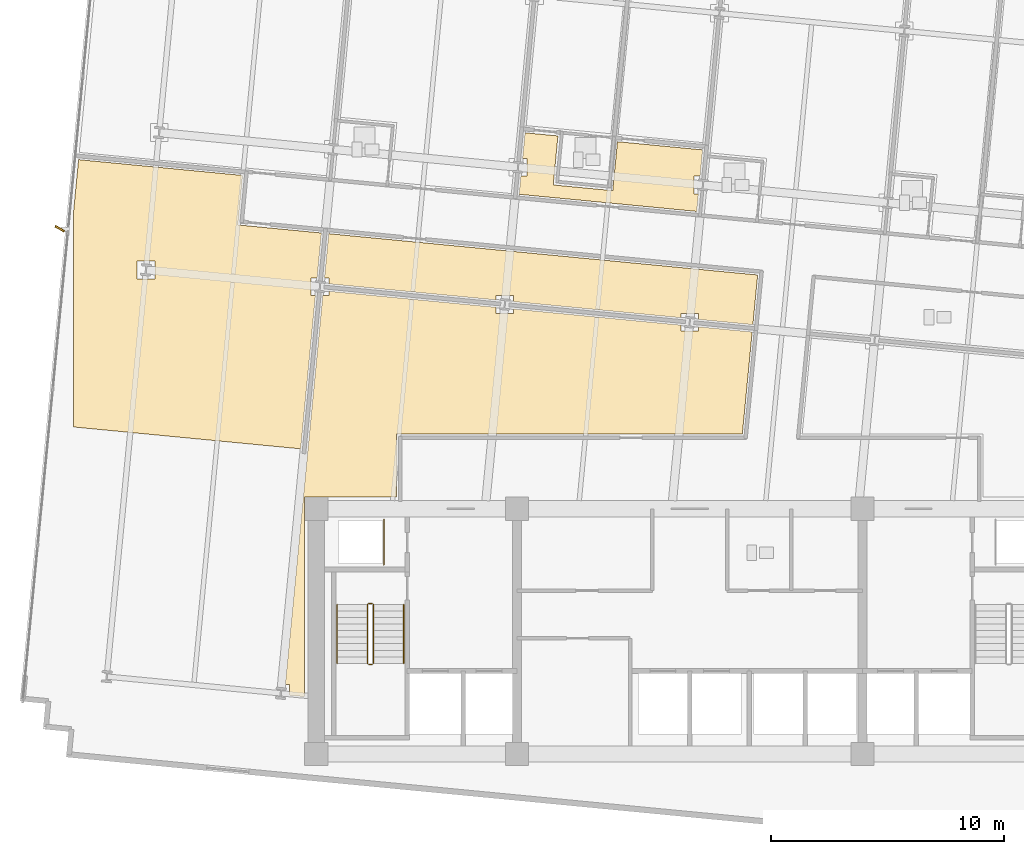
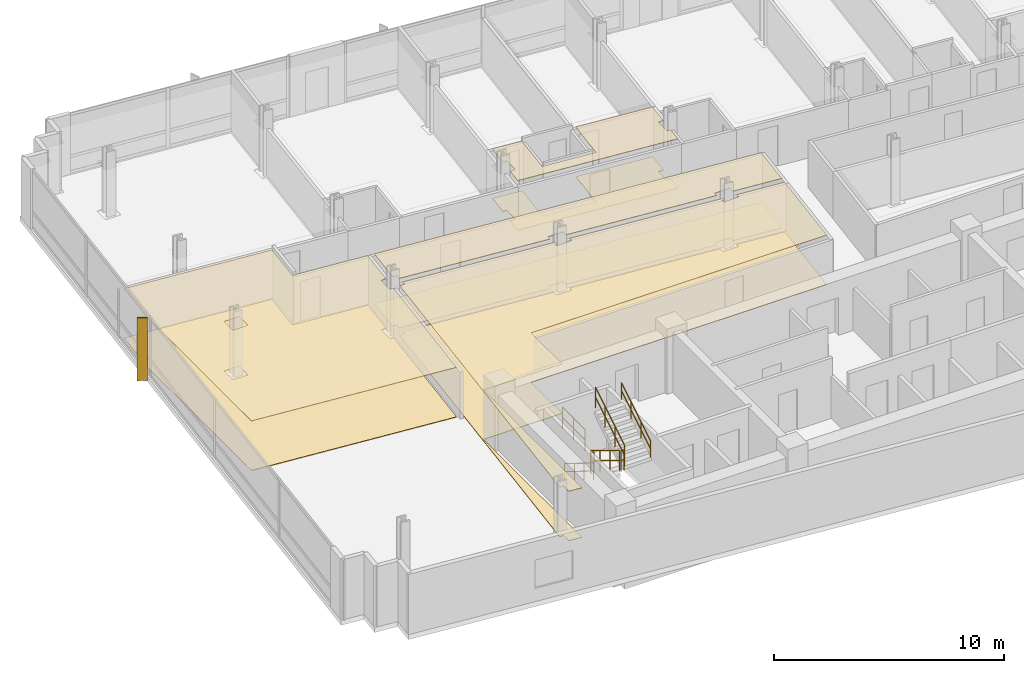
# One storey, part 14 of 17: 8 coverings, 7 railings, 1 shading device.
"""IFC4 building model written with IfcOpenShell, lengths in metres."""

from ifc_helpers import new_model, si_unit, direction, frame, origin, origin_2d, place, context, subcontext, project, spatial, polyline, rectangle, circle, outline, extrude, material, layer, layer_set, type_object, element, save


model = new_model("IFC4")

# Units and contexts
model_context = context("Model", 3, precision=1e-05, world=origin(), true_north=direction((0.0, 1.0)))
body_context = subcontext(model_context, "Body", "Model", "MODEL_VIEW")
ifc_project = project(units=[si_unit("LENGTHUNIT", "METRE"), si_unit("AREAUNIT", "SQUARE_METRE"), si_unit("VOLUMEUNIT", "CUBIC_METRE"), si_unit("PLANEANGLEUNIT", "RADIAN"), si_unit("MASSUNIT", "GRAM", prefix="KILO")], contexts=[model_context])

# Site, building, storey
site_placement = place(None, origin())
site = spatial("IfcSite", under=ifc_project, at=site_placement, CompositionType="ELEMENT")
building_placement = place(site_placement, origin())
building = spatial("IfcBuilding", under=site, at=building_placement, Name="Solmavex Isthmus Hotel", CompositionType="ELEMENT")
storey_placement = place(building_placement, frame((0.0, 0.0, 142.800048828125)))
storey = spatial("IfcBuildingStorey", under=building, at=storey_placement, Name="L38", CompositionType="ELEMENT", Elevation=142.800048828125)

# Coverings
ifc_material_1 = material(Name="Gypsum plasterboard lining", Category="gypsum")
ifc_layer_1 = layer(ifc_material_1, 0.030029296875)
ifc_layer_set_1 = layer_set([ifc_layer_1], Name="Gypsum plasterboard lining")
covering_type_1 = type_object("IfcCoveringType", Name="COV-CEIL-GYP", PredefinedType="CEILING", material=ifc_layer_set_1)
covering_1_placement = place(storey_placement, frame((0.0, 0.0, 2.619873046875)))
element("IfcCovering", 1, at=covering_1_placement, inside=storey, type_object=covering_type_1, Name="Suspended Acoustic Ceiling L38-ST03-FY", PredefinedType="CEILING", context=body_context, shape_type="SweptSolid", body=[
    extrude(outline(polyline([(-3.094482421875, 13.2255859375), (-3.296630859375, 11.12744140625), (-5.8447265625, 11.372802734375), (-5.642822265625, 13.470947265625), (-7.05419921875, 13.60693359375), (-7.159423828125, 12.513671875), (-6.971923828125, 12.513671875), (-6.971923828125, 11.753662109375), (-7.232666015625, 11.753662109375), (-7.30810546875, 10.97119140625), (0.302734375, 10.23828125), (0.375244140625, 10.9912109375), (0.1875, 10.9912109375), (0.1875, 11.751220703125), (0.448486328125, 11.751220703125), (0.556640625, 12.8740234375), (-3.094482421875, 13.2255859375)])), origin(), (0.0, 0.0, 1.0), 0.030029296875),
])
covering_2_placement = place(storey_placement, frame((0.0, 0.0, 2.619873046875)))
element("IfcCovering", 2, at=covering_2_placement, inside=storey, type_object=covering_type_1, Name="Suspended Acoustic Ceiling L38-FL09", PredefinedType="CEILING", context=body_context, shape_type="SweptSolid", body=[
    extrude(outline(polyline([(-0.378662109375, 5.6826171875), (-0.378662109375, 5.870361328125), (0.38134765625, 5.870361328125), (0.38134765625, 5.609375), (2.706787109375, 5.385498046875), (2.911865234375, 7.515625), (-15.463134765625, 9.284912109375), (-15.645263671875, 7.3955078125), (-15.45751953125, 7.3955078125), (-15.45751953125, 7.134521484375), (-8.298095703125, 6.445068359375), (-8.298095703125, 6.6328125), (-7.5380859375, 6.6328125), (-7.5380859375, 6.3720703125), (-0.378662109375, 5.6826171875)])), origin(), (0.0, 0.0, 1.0), 0.030029296875),
])
covering_3_placement = place(storey_placement, frame((0.0, 0.0, 2.619873046875)))
element("IfcCovering", 3, at=covering_3_placement, inside=storey, type_object=covering_type_1, Name="Suspended Acoustic Ceiling L38-FL12", PredefinedType="CEILING", context=body_context, shape_type="SweptSolid", body=[
    extrude(outline(polyline([(-16.02978515625, 6.635498046875), (-16.217529296875, 6.635498046875), (-16.217529296875, 7.3955078125), (-15.95654296875, 7.3955078125), (-15.771728515625, 9.314697265625), (-19.355224609375, 9.65966796875), (-19.151123046875, 11.780029296875), (-26.176513671875, 12.45654296875), (-26.39990234375, 10.135986328125), (-26.39990234375, 1.005126953125), (-16.662109375, 0.0673828125), (-16.02978515625, 6.635498046875)]), holes=[polyline([(-23.6708984375, 7.35302734375), (-23.6708984375, 8.113037109375), (-22.910888671875, 8.113037109375), (-22.910888671875, 7.35302734375), (-23.6708984375, 7.35302734375)])]), origin(), (0.0, 0.0, 1.0), 0.030029296875),
])
covering_4_placement = place(storey_placement, frame((0.0, 0.0, 2.619873046875)))
element("IfcCovering", 4, at=covering_4_placement, inside=storey, type_object=covering_type_1, Name="Suspended Acoustic Ceiling L38-FL13", PredefinedType="CEILING", context=body_context, shape_type="SweptSolid", body=[
    extrude(outline(polyline([(-17.322509765625, -10.02392578125), (-17.134765625, -10.02392578125), (-17.134765625, -10.48583984375), (-16.5048828125, -10.54638671875), (-16.5048828125, -1.9951171875), (-12.554931640625, -1.9951171875), (-12.554931640625, 0.705078125), (2.256103515625, 0.705078125), (2.677001953125, 5.076904296875), (0.38134765625, 5.298095703125), (0.38134765625, 5.1103515625), (-0.378662109375, 5.1103515625), (-0.378662109375, 5.37109375), (-7.5380859375, 6.060546875), (-7.5380859375, 5.872802734375), (-8.298095703125, 5.872802734375), (-8.298095703125, 6.1337890625), (-15.45751953125, 6.822998046875), (-15.45751953125, 6.635498046875), (-15.71826171875, 6.635498046875), (-17.322509765625, -10.02392578125)])), origin(), (0.0, 0.0, 1.0), 0.030029296875),
])
ifc_material_2 = material(Name="Travertine natural stone", Category="masonry")
ifc_layer_2 = layer(ifc_material_2, 0.02490234375)
ifc_layer_set_2 = layer_set([ifc_layer_2], Name="Travertine natural stone")
covering_type_2 = type_object("IfcCoveringType", Name="COV-FLOR-STN", PredefinedType="FLOORING", material=ifc_layer_set_2)
covering_5_placement = place(storey_placement, origin())
element("IfcCovering", 5, at=covering_5_placement, inside=storey, type_object=covering_type_2, Name="Stone and Timber Floor Finish L38-ST03-FY", PredefinedType="FLOORING", context=body_context, shape_type="SweptSolid", body=[
    extrude(outline(polyline([(-3.094482421875, 13.2255859375), (-3.296630859375, 11.12744140625), (-5.8447265625, 11.372802734375), (-5.642822265625, 13.470947265625), (-7.05419921875, 13.60693359375), (-7.159423828125, 12.513671875), (-6.971923828125, 12.513671875), (-6.971923828125, 11.753662109375), (-7.232666015625, 11.753662109375), (-7.30810546875, 10.97119140625), (0.302734375, 10.23828125), (0.375244140625, 10.9912109375), (0.1875, 10.9912109375), (0.1875, 11.751220703125), (0.448486328125, 11.751220703125), (0.556640625, 12.8740234375), (-3.094482421875, 13.2255859375)])), origin(), (0.0, 0.0, 1.0), 0.02490234375),
])
covering_6_placement = place(storey_placement, origin())
element("IfcCovering", 6, at=covering_6_placement, inside=storey, type_object=covering_type_2, Name="Stone and Timber Floor Finish L38-FL09", PredefinedType="FLOORING", context=body_context, shape_type="SweptSolid", body=[
    extrude(outline(polyline([(-0.378662109375, 5.6826171875), (-0.378662109375, 5.870361328125), (0.38134765625, 5.870361328125), (0.38134765625, 5.609375), (2.706787109375, 5.385498046875), (2.911865234375, 7.515625), (-15.463134765625, 9.284912109375), (-15.645263671875, 7.3955078125), (-15.45751953125, 7.3955078125), (-15.45751953125, 7.134521484375), (-8.298095703125, 6.445068359375), (-8.298095703125, 6.6328125), (-7.5380859375, 6.6328125), (-7.5380859375, 6.3720703125), (-0.378662109375, 5.6826171875)])), origin(), (0.0, 0.0, 1.0), 0.02490234375),
])
covering_7_placement = place(storey_placement, origin())
element("IfcCovering", 7, at=covering_7_placement, inside=storey, type_object=covering_type_2, Name="Stone and Timber Floor Finish L38-FL12", PredefinedType="FLOORING", context=body_context, shape_type="SweptSolid", body=[
    extrude(outline(polyline([(-16.02978515625, 6.635498046875), (-16.217529296875, 6.635498046875), (-16.217529296875, 7.3955078125), (-15.95654296875, 7.3955078125), (-15.771728515625, 9.314697265625), (-19.355224609375, 9.65966796875), (-19.151123046875, 11.780029296875), (-26.176513671875, 12.45654296875), (-26.39990234375, 10.135986328125), (-26.39990234375, 1.005126953125), (-16.662109375, 0.0673828125), (-16.02978515625, 6.635498046875)]), holes=[polyline([(-23.6708984375, 7.35302734375), (-23.6708984375, 8.113037109375), (-22.910888671875, 8.113037109375), (-22.910888671875, 7.35302734375), (-23.6708984375, 7.35302734375)])]), origin(), (0.0, 0.0, 1.0), 0.02490234375),
])
covering_8_placement = place(storey_placement, origin())
element("IfcCovering", 8, at=covering_8_placement, inside=storey, type_object=covering_type_2, Name="Stone and Timber Floor Finish L38-FL13", PredefinedType="FLOORING", context=body_context, shape_type="SweptSolid", body=[
    extrude(outline(polyline([(-17.322509765625, -10.02392578125), (-17.134765625, -10.02392578125), (-17.134765625, -10.48583984375), (-16.5048828125, -10.54638671875), (-16.5048828125, -1.9951171875), (-12.554931640625, -1.9951171875), (-12.554931640625, 0.705078125), (2.256103515625, 0.705078125), (2.677001953125, 5.076904296875), (0.38134765625, 5.298095703125), (0.38134765625, 5.1103515625), (-0.378662109375, 5.1103515625), (-0.378662109375, 5.37109375), (-7.5380859375, 6.060546875), (-7.5380859375, 5.872802734375), (-8.298095703125, 5.872802734375), (-8.298095703125, 6.1337890625), (-15.45751953125, 6.822998046875), (-15.45751953125, 6.635498046875), (-15.71826171875, 6.635498046875), (-17.322509765625, -10.02392578125)])), origin(), (0.0, 0.0, 1.0), 0.02490234375),
])

# Railings
ifc_material_3 = material(Name="Clear low-E laminated glass", Category="glass")
ifc_layer_3 = layer(ifc_material_3, 0.080078125)
ifc_layer_set_3 = layer_set([ifc_layer_3], Name="Clear low-E laminated glass")
railing_type_1 = type_object("IfcRailingType", Name="RAIL-ATRIUM-1120", PredefinedType="BALUSTRADE", material=ifc_layer_set_3)
railing_1_placement = place(storey_placement, frame((-13.10009765625, -4.89990234375, 0.0)))
element("IfcRailing", 9, at=railing_1_placement, inside=storey, type_object=railing_type_1, Name="Guardrail Balustrade L38-RSW-01", PredefinedType="BALUSTRADE", context=body_context, shape_type="SweptSolid", body=[
    extrude(circle(Radius=0.02392578125, at=origin_2d()), frame((0.0, 0.0, 1.1259765625), z_axis=(0.0, 1.0, 0.0), x_axis=(-1.0, 0.0, 0.0)), (0.0, 0.0, 1.0), 1.949951171875),
    extrude(circle(Radius=0.02392578125, at=origin_2d()), frame((0.0, 0.0, 0.574951171875), z_axis=(0.0, 1.0, 0.0), x_axis=(-1.0, 0.0, 0.0)), (0.0, 0.0, 1.0), 1.949951171875),
    extrude(circle(Radius=0.02099609375, at=origin_2d()), origin(), (0.0, 0.0, 1.0), 1.101806640625),
    extrude(circle(Radius=0.02099609375, at=origin_2d()), frame((0.0, 0.97509765625, 0.0)), (0.0, 0.0, 1.0), 1.101806640625),
    extrude(circle(Radius=0.02099609375, at=origin_2d()), frame((0.0, 1.949951171875, 0.0)), (0.0, 0.0, 1.0), 1.101806640625),
])
ifc_material_4 = material(Name="Stainless steel 316", Category="steel")
ifc_layer_4 = layer(ifc_material_4, 0.06005859375)
ifc_layer_set_4 = layer_set([ifc_layer_4], Name="Stainless steel 316")
railing_type_2 = type_object("IfcRailingType", Name="RAIL-STAIR-GD", PredefinedType="GUARDRAIL", material=ifc_layer_set_4)
railing_2_placement = place(storey_placement, frame((-13.800048828125, -6.60009765625, 0.17236328125)))
element("IfcRailing", 10, at=railing_2_placement, inside=storey, type_object=railing_type_2, Name="L38 ST-1 stair guard 1", PredefinedType="GUARDRAIL", context=body_context, shape_type="SweptSolid", body=[
    extrude(circle(Radius=0.02392578125, at=origin_2d()), frame((0.0, 0.0, 1.09619140625), z_axis=(0.0, -0.851400495292, 0.524516154772), x_axis=(1.0, 0.0, 0.0)), (0.0, 0.0, 1.0), 2.9599609375),
    extrude(circle(Radius=0.02392578125, at=origin_2d()), frame((0.0, 0.0, 0.56005859375), z_axis=(0.0, -0.851400495292, 0.524516154772), x_axis=(1.0, 0.0, 0.0)), (0.0, 0.0, 1.0), 2.9599609375),
    extrude(circle(Radius=0.02099609375, at=origin_2d()), origin(), (0.0, 0.0, 1.0), 1.072021484375),
    extrude(circle(Radius=0.02099609375, at=origin_2d()), frame((0.0, -0.840087890625, 0.517578125)), (0.0, 0.0, 1.0), 1.072021484375),
    extrude(circle(Radius=0.02099609375, at=origin_2d()), frame((0.0, -1.679931640625, 1.034912109375)), (0.0, 0.0, 1.0), 1.072021484375),
    extrude(circle(Radius=0.02099609375, at=origin_2d()), frame((0.0, -2.52001953125, 1.552490234375)), (0.0, 0.0, 1.0), 1.072021484375),
])
railing_3_placement = place(storey_placement, frame((-13.75, -9.169921875, 1.724853515625)))
element("IfcRailing", 11, at=railing_3_placement, inside=storey, type_object=railing_type_2, Name="L38 ST-1 stair guard 2", PredefinedType="GUARDRAIL", context=body_context, shape_type="SweptSolid", body=[
    extrude(circle(Radius=0.02392578125, at=origin_2d()), frame((0.0, 0.0, 1.09619140625), z_axis=(1.0, 0.0, 0.0), x_axis=(0.0, 1.0, 0.0)), (0.0, 0.0, 1.0), 0.14990234375),
    extrude(circle(Radius=0.02392578125, at=origin_2d()), frame((0.0, 0.0, 0.56005859375), z_axis=(1.0, 0.0, 0.0), x_axis=(0.0, 1.0, 0.0)), (0.0, 0.0, 1.0), 0.14990234375),
    extrude(circle(Radius=0.02099609375, at=origin_2d()), origin(), (0.0, 0.0, 1.0), 1.072021484375),
    extrude(circle(Radius=0.02099609375, at=origin_2d()), frame((0.14990234375, 0.0, 0.0)), (0.0, 0.0, 1.0), 1.072021484375),
])
railing_4_placement = place(storey_placement, frame((-13.550048828125, -9.1201171875, 1.8974609375)))
element("IfcRailing", 12, at=railing_4_placement, inside=storey, type_object=railing_type_2, Name="L38 ST-1 stair guard 3", PredefinedType="GUARDRAIL", context=body_context, shape_type="SweptSolid", body=[
    extrude(circle(Radius=0.02392578125, at=origin_2d()), frame((0.0, 0.0, 1.09619140625), z_axis=(0.0, 0.851400495292, 0.524516154772), x_axis=(-1.0, 0.0, 0.0)), (0.0, 0.0, 1.0), 2.9599609375),
    extrude(circle(Radius=0.02392578125, at=origin_2d()), frame((0.0, 0.0, 0.56005859375), z_axis=(0.0, 0.851400495292, 0.524516154772), x_axis=(-1.0, 0.0, 0.0)), (0.0, 0.0, 1.0), 2.9599609375),
    extrude(circle(Radius=0.02099609375, at=origin_2d()), origin(), (0.0, 0.0, 1.0), 1.072021484375),
    extrude(circle(Radius=0.02099609375, at=origin_2d()), frame((0.0, 0.840087890625, 0.517578125)), (0.0, 0.0, 1.0), 1.072021484375),
    extrude(circle(Radius=0.02099609375, at=origin_2d()), frame((0.0, 1.679931640625, 1.034912109375)), (0.0, 0.0, 1.0), 1.072021484375),
    extrude(circle(Radius=0.02099609375, at=origin_2d()), frame((0.0, 2.52001953125, 1.552490234375)), (0.0, 0.0, 1.0), 1.072021484375),
])
railing_5_placement = place(storey_placement, frame((-13.75, -6.550048828125, 0.0)))
element("IfcRailing", 13, at=railing_5_placement, inside=storey, type_object=railing_type_2, Name="L38 ST-1 stair guard 4", PredefinedType="GUARDRAIL", context=body_context, shape_type="SweptSolid", body=[
    extrude(circle(Radius=0.02392578125, at=origin_2d()), frame((0.0, 0.0, 1.09619140625), z_axis=(1.0, 0.0, 0.0), x_axis=(0.0, 1.0, 0.0)), (0.0, 0.0, 1.0), 0.14990234375),
    extrude(circle(Radius=0.02392578125, at=origin_2d()), frame((0.0, 0.0, 0.56005859375), z_axis=(1.0, 0.0, 0.0), x_axis=(0.0, 1.0, 0.0)), (0.0, 0.0, 1.0), 0.14990234375),
    extrude(circle(Radius=0.02099609375, at=origin_2d()), origin(), (0.0, 0.0, 1.0), 1.072021484375),
    extrude(circle(Radius=0.02099609375, at=origin_2d()), frame((0.14990234375, 0.0, 0.0)), (0.0, 0.0, 1.0), 1.072021484375),
])
ifc_layer_5 = layer(ifc_material_4, 0.050048828125)
ifc_layer_set_5 = layer_set([ifc_layer_5], Name="Stainless steel 316")
railing_type_3 = type_object("IfcRailingType", Name="RAIL-STAIR-HR", PredefinedType="HANDRAIL", material=ifc_layer_set_5)
railing_6_placement = place(storey_placement, frame((-15.10009765625, -6.60009765625, 0.17236328125)))
element("IfcRailing", 14, at=railing_6_placement, inside=storey, type_object=railing_type_3, Name="L38 ST-1 stair handrail 1", PredefinedType="HANDRAIL", context=body_context, shape_type="SweptSolid", body=[
    extrude(circle(Radius=0.02392578125, at=origin_2d()), frame((0.0, 0.0, 0.8759765625), z_axis=(0.0, -0.851400495292, 0.524516154772), x_axis=(1.0, 0.0, 0.0)), (0.0, 0.0, 1.0), 2.9599609375),
    extrude(circle(Radius=0.02392578125, at=origin_2d()), frame((0.0, 0.0, 0.449951171875), z_axis=(0.0, -0.851400495292, 0.524516154772), x_axis=(1.0, 0.0, 0.0)), (0.0, 0.0, 1.0), 2.9599609375),
    extrude(circle(Radius=0.02099609375, at=origin_2d()), origin(), (0.0, 0.0, 1.0), 0.851806640625),
    extrude(circle(Radius=0.02099609375, at=origin_2d()), frame((0.0, -0.840087890625, 0.517578125)), (0.0, 0.0, 1.0), 0.851806640625),
    extrude(circle(Radius=0.02099609375, at=origin_2d()), frame((0.0, -1.679931640625, 1.034912109375)), (0.0, 0.0, 1.0), 0.851806640625),
    extrude(circle(Radius=0.02099609375, at=origin_2d()), frame((0.0, -2.52001953125, 1.552490234375)), (0.0, 0.0, 1.0), 0.851806640625),
])
railing_7_placement = place(storey_placement, frame((-12.25, -9.1201171875, 1.8974609375)))
element("IfcRailing", 15, at=railing_7_placement, inside=storey, type_object=railing_type_3, Name="L38 ST-1 stair handrail 2", PredefinedType="HANDRAIL", context=body_context, shape_type="SweptSolid", body=[
    extrude(circle(Radius=0.02392578125, at=origin_2d()), frame((0.0, 0.0, 0.8759765625), z_axis=(0.0, 0.851400495292, 0.524516154772), x_axis=(-1.0, 0.0, 0.0)), (0.0, 0.0, 1.0), 2.9599609375),
    extrude(circle(Radius=0.02392578125, at=origin_2d()), frame((0.0, 0.0, 0.449951171875), z_axis=(0.0, 0.851400495292, 0.524516154772), x_axis=(-1.0, 0.0, 0.0)), (0.0, 0.0, 1.0), 2.9599609375),
    extrude(circle(Radius=0.02099609375, at=origin_2d()), origin(), (0.0, 0.0, 1.0), 0.851806640625),
    extrude(circle(Radius=0.02099609375, at=origin_2d()), frame((0.0, 0.840087890625, 0.517578125)), (0.0, 0.0, 1.0), 0.851806640625),
    extrude(circle(Radius=0.02099609375, at=origin_2d()), frame((0.0, 1.679931640625, 1.034912109375)), (0.0, 0.0, 1.0), 0.851806640625),
    extrude(circle(Radius=0.02099609375, at=origin_2d()), frame((0.0, 2.52001953125, 1.552490234375)), (0.0, 0.0, 1.0), 0.851806640625),
])

# Shading device
ifc_material_5 = material(Name="Aluminium alloy 6063-T6", Category="aluminium")
shading_device_type = type_object("IfcShadingDeviceType", Name="SHD-FIN-BRONZE", PredefinedType="USERDEFINED", material=ifc_material_5)
shading_device_placement = place(storey_placement, frame((-26.979248046875, 9.49462890625, -0.14013671875), z_axis=(0.0, 0.0, 1.0), x_axis=(-0.87035569594, 0.492423560103, 0.0)))
element("IfcShadingDevice", 16, at=shading_device_placement, inside=storey, type_object=shading_device_type, Name="Anodised Aluminium Solar Fin L38-W1", ObjectType="SOLAR_FIN", PredefinedType="USERDEFINED", context=body_context, shape_type="SweptSolid", body=[
    extrude(rectangle(XDim=0.449951171875, YDim=0.080078125, at=origin_2d()), origin(), (0.0, 0.0, 1.0), 3.330078125),
])

save(model, "model.ifc")
